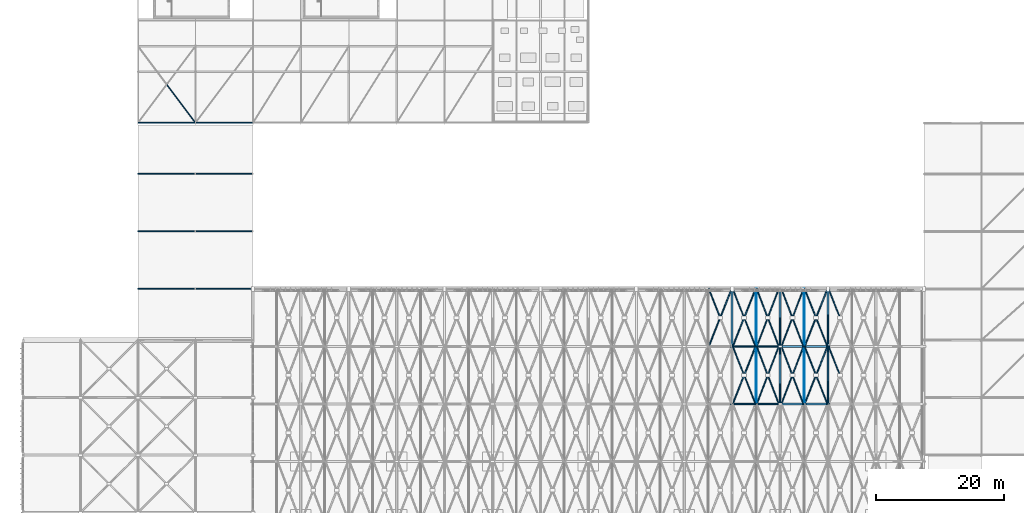
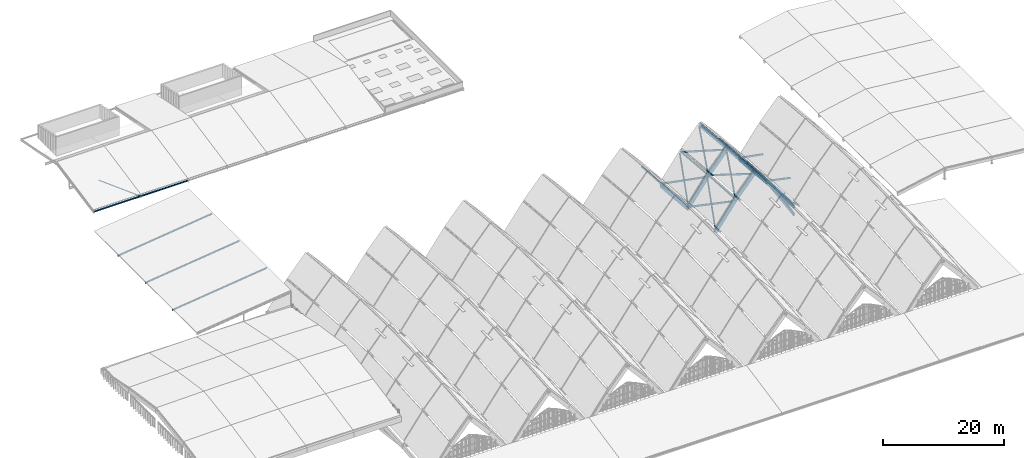
# One storey, part 41 of 93: 35 members, 21 beams.
"""IFC4 building model written with IfcOpenShell, lengths in metres."""

import ifcopenshell
import ifcopenshell.guid

model = None  # the IFC model being written
_history = None  # IfcOwnerHistory: only IFC2X3 demands one
_inside = {}  # id of a spatial element -> (the spatial element, [elements in it])
_under = {}  # id of a project, library or spatial element -> (it, [spatial elements below it])
_declared = {}  # id of a project -> (the project, [libraries it declares])
_typed = {}  # id of a type object -> (the type object, [elements of that type])
_made_of = {}  # id of a material, layer set ... -> (it, [elements and type objects made of it])


def new_model(schema):
    """Start an empty IFC model of exactly this schema.

    Asked for "IFC4X3", IfcOpenShell would pick the latest addendum, in which some entities
    have other attributes; the version numbers below select the first issue.
    IFC2X3 requires an IfcOwnerHistory on every rooted entity: one is made here for all.
    """
    global model, _history
    if schema == "IFC4X3":
        model = ifcopenshell.file(schema_version=(4, 3, 0, 0))
    else:
        model = ifcopenshell.file(schema=schema)
    _inside.clear()
    _under.clear()
    _declared.clear()
    _typed.clear()
    _made_of.clear()
    _history = None
    if model.schema == "IFC2X3":
        org = make("IfcOrganization", Name="unknown")
        user = make(
            "IfcPersonAndOrganization",
            ThePerson=make("IfcPerson", FamilyName="unknown"),
            TheOrganization=org,
        )
        app = make(
            "IfcApplication",
            ApplicationDeveloper=org,
            Version="unknown",
            ApplicationFullName="unknown",
            ApplicationIdentifier="unknown",
        )
        _history = make(
            "IfcOwnerHistory",
            OwningUser=user,
            OwningApplication=app,
            ChangeAction="ADDED",
            CreationDate=0,
        )
    return model


def make(cls, **values):
    """One entity of the class cls with the attributes given. An attribute that is None is left unset."""
    return model.create_entity(
        cls, **{name: value for name, value in values.items() if value is not None}
    )


def rooted(cls, **values):
    """An entity with a GlobalId (a new one), such as an element, a storey or a relation."""
    return make(cls, GlobalId=ifcopenshell.guid.new(), OwnerHistory=_history, **values)


def si_unit(unit_type, name, prefix=None):
    """IfcSIUnit, for example si_unit("LENGTHUNIT", "METRE", prefix="MILLI")."""
    return make("IfcSIUnit", UnitType=unit_type, Prefix=prefix, Name=name)


def assignment(units):
    """IfcUnitAssignment: the units of a project."""
    return None if units is None else make("IfcUnitAssignment", Units=units)


def point(xyz):
    """IfcCartesianPoint."""
    return None if xyz is None else make("IfcCartesianPoint", Coordinates=xyz)


def direction(xyz):
    """IfcDirection."""
    return None if xyz is None else make("IfcDirection", DirectionRatios=xyz)


def frame(location, z_axis=None, x_axis=None):
    """IfcAxis2Placement3D, a coordinate frame: its origin and axes. An axis left out is left unset."""
    return make(
        "IfcAxis2Placement3D",
        Location=point(location),
        Axis=direction(z_axis),
        RefDirection=direction(x_axis),
    )


def frame_2d(location, x_axis=None):
    """IfcAxis2Placement2D, a coordinate frame in the plane: its origin and x axis."""
    return make(
        "IfcAxis2Placement2D", Location=point(location), RefDirection=direction(x_axis)
    )


def origin():
    """The frame at (0, 0, 0) with its axes left unset."""
    return frame((0.0, 0.0, 0.0))


def origin_2d():
    """The frame at (0, 0) in the plane with its x axis left unset."""
    return frame_2d((0.0, 0.0))


def place(relative_to, where):
    """IfcLocalPlacement: puts the frame where relative to a parent placement (None: the world)."""
    return make(
        "IfcLocalPlacement", PlacementRelTo=relative_to, RelativePlacement=where
    )


def context(
    kind, dimensions, precision=None, world=None, true_north=None, identifier=None
):
    """IfcGeometricRepresentationContext, for example the 3D "Model" context."""
    return make(
        "IfcGeometricRepresentationContext",
        ContextIdentifier=identifier,
        ContextType=kind,
        CoordinateSpaceDimension=dimensions,
        Precision=precision,
        WorldCoordinateSystem=world,
        TrueNorth=true_north,
    )


def subcontext(parent, identifier, kind, view, scale=None):
    """IfcGeometricRepresentationSubContext, for example "Body" below "Model"."""
    return make(
        "IfcGeometricRepresentationSubContext",
        ContextIdentifier=identifier,
        ContextType=kind,
        ParentContext=parent,
        TargetScale=scale,
        TargetView=view,
    )


def project(units=None, contexts=None):
    """IfcProject with its units and contexts."""
    return rooted(
        "IfcProject",
        Name="project",
        RepresentationContexts=contexts,
        UnitsInContext=assignment(units),
    )


def spatial(cls, under=None, at=None, **own):
    """A site, building, storey or space (cls), placed at a placement, below another one or the project."""
    s = rooted(cls, ObjectPlacement=at, **own)
    if under is not None:
        _under.setdefault(under.id(), (under, []))[1].append(s)
    return s


def profile(cls, at=None, kind="AREA", **sizes):
    """A parametric profile (cls). Its sizes go by their IFC names, for example OverallWidth=200.0."""
    return make(cls, ProfileType=kind, Position=at, **sizes)


def rectangle(**sizes):
    """IfcRectangleProfileDef."""
    return profile("IfcRectangleProfileDef", **sizes)


def hollow_circle(**sizes):
    """IfcCircleHollowProfileDef."""
    return profile("IfcCircleHollowProfileDef", **sizes)


def i_section(**sizes):
    """IfcIShapeProfileDef."""
    return profile("IfcIShapeProfileDef", **sizes)


def extrude(swept, where, along, depth):
    """IfcExtrudedAreaSolid: the profile swept, set in the frame where, extruded along a direction by depth."""
    return make(
        "IfcExtrudedAreaSolid",
        SweptArea=swept,
        Position=where,
        ExtrudedDirection=direction(along),
        Depth=depth,
    )


def shape(context_of_items, identifier, shape_type, items):
    """IfcShapeRepresentation: the items that make up one representation, for example the "Body"."""
    return make(
        "IfcShapeRepresentation",
        ContextOfItems=context_of_items,
        RepresentationIdentifier=identifier,
        RepresentationType=shape_type,
        Items=items,
    )


def material(Name=None, Category=None):
    """IfcMaterial."""
    return make("IfcMaterial", Name=Name, Category=Category)


def material_profile(
    of_material, cross_section, Name=None, Category=None, Priority=None
):
    """IfcMaterialProfile: a cross section and its material."""
    return make(
        "IfcMaterialProfile",
        Name=Name,
        Material=of_material,
        Profile=cross_section,
        Priority=Priority,
        Category=Category,
    )


def profile_set(profiles, Name=None, composite=None):
    """IfcMaterialProfileSet."""
    return make(
        "IfcMaterialProfileSet",
        Name=Name,
        MaterialProfiles=profiles,
        CompositeProfile=composite,
    )


def made_of(thing, what):
    """Note that an element or type object is made of a material, layer set ...; save() writes the relation."""
    if what is not None:
        _made_of.setdefault(what.id(), (what, []))[1].append(thing)
    return thing


def type_object(cls, material=None, **own):
    """A type object (cls), such as IfcWallType, which elements share."""
    return made_of(rooted(cls, **own), material)


def element(
    cls,
    number,
    at=None,
    inside=None,
    cuts=None,
    type_object=None,
    material=None,
    context=None,
    identifier="Body",
    shape_type=None,
    held_by="IfcProductDefinitionShape",
    body=None,
    shapes=None,
    **own,
):
    """One element of the class cls, such as IfcWall. Its Tag is "e" and its number.

    at: its placement. inside: the storey or other place that contains it. cuts: it is an
    opening in that element (IfcRelVoidsElement). A single representation is given by context,
    identifier, shape_type and body (its items); several are given by shapes. held_by: the class
    of the entity that holds the representations. save() writes the other relations.
    """
    e = rooted(cls, Tag="e%d" % number, ObjectPlacement=at, **own)
    if body is not None:
        shapes = [shape(context, identifier, shape_type, body)]
    if shapes is not None:
        e.Representation = make(held_by, Representations=shapes)
    if inside is not None:
        _inside.setdefault(inside.id(), (inside, []))[1].append(e)
    if cuts is not None:
        rooted(
            "IfcRelVoidsElement", RelatingBuildingElement=cuts, RelatedOpeningElement=e
        )
    if type_object is not None:
        _typed.setdefault(type_object.id(), (type_object, []))[1].append(e)
    return made_of(e, material)


def aggregate(whole, parts):
    """IfcRelAggregates: a whole, such as a stair, and the parts it consists of."""
    return rooted("IfcRelAggregates", RelatingObject=whole, RelatedObjects=parts)


def save(model, path):
    """Write the relations noted so far, then the file.

    IfcRelAggregates (storeys below a building ...), IfcRelContainedInSpatialStructure (elements
    in a storey), IfcRelDefinesByType, IfcRelAssociatesMaterial and IfcRelDeclares: one each for
    every whole, place, type object, material and project.
    """
    for whole, parts in _under.values():
        aggregate(whole, parts)
    for where, things in _inside.values():
        rooted(
            "IfcRelContainedInSpatialStructure",
            RelatedElements=things,
            RelatingStructure=where,
        )
    for kind, things in _typed.values():
        rooted("IfcRelDefinesByType", RelatedObjects=things, RelatingType=kind)
    for what, things in _made_of.values():
        rooted("IfcRelAssociatesMaterial", RelatedObjects=things, RelatingMaterial=what)
    for by, libraries in _declared.values():
        rooted("IfcRelDeclares", RelatingContext=by, RelatedDefinitions=libraries)
    model.write(path)


model = new_model("IFC4")

# Units and contexts
model_context = context("Model", 3, precision=1e-05, world=origin(), true_north=direction((0.0, 1.0)))
body_context = subcontext(model_context, "Body", "Model", "MODEL_VIEW")
ifc_project = project(units=[si_unit("LENGTHUNIT", "METRE"), si_unit("AREAUNIT", "SQUARE_METRE"), si_unit("VOLUMEUNIT", "CUBIC_METRE"), si_unit("PLANEANGLEUNIT", "RADIAN"), si_unit("MASSUNIT", "GRAM", prefix="KILO")], contexts=[model_context])

# Site, building, storey
site_placement = place(None, origin())
site = spatial("IfcSite", under=ifc_project, at=site_placement, CompositionType="ELEMENT")
building_placement = place(site_placement, origin())
building = spatial("IfcBuilding", under=site, at=building_placement, Name="Vourika Railside Aquatics Centre", CompositionType="ELEMENT")
storey_placement = place(building_placement, frame((0.0, 0.0, 21.89990234375)))
storey = spatial("IfcBuildingStorey", under=building, at=storey_placement, Name="Roof", CompositionType="ELEMENT", Elevation=21.89990234375)

# Beams
ifc_material_1 = material(Name="Glulam GL32h", Category="wood")
ifc_material_profile_1 = material_profile(ifc_material_1, rectangle(XDim=0.239990234375, YDim=0.719970703125, at=origin_2d()), Name="GL32h 240x720")
ifc_profile_set_1 = profile_set([ifc_material_profile_1], Name="Glulam GL32h")
beam_type_1 = type_object("IfcBeamType", Name="BM-GL-ARCH-240x720", PredefinedType="BEAM", material=ifc_profile_set_1)
beam_1_placement = place(storey_placement, frame((111.0, 48.0, -10.314208984375), z_axis=(0.592401494544, 0.0, 0.805642891896), x_axis=(0.0, 1.0, 0.0)))
element("IfcBeam", 1, at=beam_1_placement, inside=storey, type_object=beam_type_1, Name="Pointed Glulam Vault Arch Rib GAR-0187", PredefinedType="BEAM", context=body_context, shape_type="SweptSolid", body=[
    extrude(rectangle(XDim=0.239990234375, YDim=0.719970703125, at=origin_2d()), origin(), (0.0, 0.0, 1.0), 6.330078125),
])
for number, where, z_axis, x_axis, name in (
    (2, (114.75, 48.0, -5.21435546875), (0.657258623263, 0.0, 0.75366511273), (0.0, 1.0, 0.0), "Pointed Glulam Vault Arch Rib GAR-0188"),
    (3, (118.5, 48.0, -0.914306640625), (0.657258623263, 0.0, -0.75366511273), (0.0, 1.0, 0.0), "Pointed Glulam Vault Arch Rib GAR-0189"),
):
    element("IfcBeam", number, at=place(storey_placement, frame(where, z_axis=z_axis, x_axis=x_axis)), inside=storey, type_object=beam_type_1, Name=name, PredefinedType="BEAM", context=body_context, shape_type="SweptSolid", body=[
        extrude(rectangle(XDim=0.239990234375, YDim=0.719970703125, at=origin_2d()), origin(), (0.0, 0.0, 1.0), 5.70556640625),
    ])
beam_2_placement = place(storey_placement, frame((122.25, 48.0, -5.21435546875), z_axis=(0.592401494544, 0.0, -0.805642891896), x_axis=(0.0, 1.0, 0.0)))
element("IfcBeam", 4, at=beam_2_placement, inside=storey, type_object=beam_type_1, Name="Pointed Glulam Vault Arch Rib GAR-0190", PredefinedType="BEAM", context=body_context, shape_type="SweptSolid", body=[
    extrude(rectangle(XDim=0.239990234375, YDim=0.719970703125, at=origin_2d()), origin(), (0.0, 0.0, 1.0), 6.330078125),
])
beam_3_placement = place(storey_placement, frame((111.0, 57.0, -10.89990234375), z_axis=(0.592383087934, 0.0, 0.805656426233), x_axis=(0.0, 1.0, 0.0)))
element("IfcBeam", 5, at=beam_3_placement, inside=storey, type_object=beam_type_1, Name="Pointed Glulam Vault Arch Rib GAR-0191", PredefinedType="BEAM", context=body_context, shape_type="SweptSolid", body=[
    extrude(rectangle(XDim=0.239990234375, YDim=0.719970703125, at=origin_2d()), origin(), (0.0, 0.0, 1.0), 6.330322265625),
])
for number, where, z_axis, x_axis, name in (
    (6, (114.75, 57.0, -5.7998046875), (0.657279819973, 0.0, 0.753646626912), (0.0, 1.0, 0.0), "Pointed Glulam Vault Arch Rib GAR-0192"),
    (7, (118.5, 57.0, -1.5), (0.657279819973, 0.0, -0.753646626912), (0.0, 1.0, 0.0), "Pointed Glulam Vault Arch Rib GAR-0193"),
):
    element("IfcBeam", number, at=place(storey_placement, frame(where, z_axis=z_axis, x_axis=x_axis)), inside=storey, type_object=beam_type_1, Name=name, PredefinedType="BEAM", context=body_context, shape_type="SweptSolid", body=[
        extrude(rectangle(XDim=0.239990234375, YDim=0.719970703125, at=origin_2d()), origin(), (0.0, 0.0, 1.0), 5.705322265625),
    ])
beam_4_placement = place(storey_placement, frame((122.25, 57.0, -5.7998046875), z_axis=(0.592383087934, 0.0, -0.805656426233), x_axis=(0.0, 1.0, 0.0)))
element("IfcBeam", 8, at=beam_4_placement, inside=storey, type_object=beam_type_1, Name="Pointed Glulam Vault Arch Rib GAR-0194", PredefinedType="BEAM", context=body_context, shape_type="SweptSolid", body=[
    extrude(rectangle(XDim=0.239990234375, YDim=0.719970703125, at=origin_2d()), origin(), (0.0, 0.0, 1.0), 6.330322265625),
])
ifc_material_profile_2 = material_profile(ifc_material_1, rectangle(XDim=0.280029296875, YDim=0.800048828125, at=origin_2d()), Name="GL32h 280x800")
ifc_profile_set_2 = profile_set([ifc_material_profile_2], Name="Glulam GL32h")
beam_type_2 = type_object("IfcBeamType", Name="BM-GL-RIDGE-280x800", PredefinedType="BEAM", material=ifc_profile_set_2)
beam_5_placement = place(storey_placement, frame((118.5, 48.0, -0.914306640625), z_axis=(0.0, 0.997889191565, -0.064939674766), x_axis=(-1.0, 0.0, 0.0)))
element("IfcBeam", 9, at=beam_5_placement, inside=storey, type_object=beam_type_2, Name="Vault Pointed Ridge Beam GRB-0203", PredefinedType="BEAM", context=body_context, shape_type="SweptSolid", body=[
    extrude(rectangle(XDim=0.280029296875, YDim=0.800048828125, at=origin_2d()), origin(), (0.0, 0.0, 1.0), 9.01904296875),
])
beam_6_placement = place(storey_placement, frame((118.5, 57.0, -1.5), z_axis=(0.0, 0.996074546839, -0.088518343518), x_axis=(-1.0, 0.0, 0.0)))
element("IfcBeam", 10, at=beam_6_placement, inside=storey, type_object=beam_type_2, Name="Vault Pointed Ridge Beam GRB-0204", PredefinedType="BEAM", context=body_context, shape_type="SweptSolid", body=[
    extrude(rectangle(XDim=0.280029296875, YDim=0.800048828125, at=origin_2d()), origin(), (0.0, 0.0, 1.0), 9.035400390625),
])
ifc_material_profile_3 = material_profile(ifc_material_1, rectangle(XDim=0.300048828125, YDim=0.89990234375, at=origin_2d()), Name="GL32h 300x900")
ifc_profile_set_3 = profile_set([ifc_material_profile_3], Name="Glulam GL32h")
beam_type_3 = type_object("IfcBeamType", Name="BM-GL-VAL-300x900", PredefinedType="BEAM", material=ifc_profile_set_3)
beam_7_placement = place(storey_placement, frame((126.0, 48.0, -10.314208984375), z_axis=(0.0, 0.997889191565, -0.064939674766), x_axis=(-1.0, 0.0, 0.0)))
element("IfcBeam", 11, at=beam_7_placement, inside=storey, type_object=beam_type_3, Name="Vault Valley Arch Rib VTR-041", PredefinedType="BEAM", context=body_context, shape_type="SweptSolid", body=[
    extrude(rectangle(XDim=0.300048828125, YDim=0.89990234375, at=origin_2d()), origin(), (0.0, 0.0, 1.0), 9.01904296875),
])
beam_8_placement = place(storey_placement, frame((126.0, 57.0, -10.89990234375), z_axis=(0.0, 0.996072164085, -0.088545151956), x_axis=(-1.0, 0.0, 0.0)))
element("IfcBeam", 12, at=beam_8_placement, inside=storey, type_object=beam_type_3, Name="Vault Valley Arch Rib VTR-042", PredefinedType="BEAM", context=body_context, shape_type="SweptSolid", body=[
    extrude(rectangle(XDim=0.300048828125, YDim=0.89990234375, at=origin_2d()), origin(), (0.0, 0.0, 1.0), 9.035400390625),
])
ifc_material_profile_4 = material_profile(ifc_material_1, rectangle(XDim=0.320068359375, YDim=0.9599609375, at=origin_2d()), Name="GL32h 320x960")
ifc_profile_set_4 = profile_set([ifc_material_profile_4], Name="Glulam GL32h")
beam_type_4 = type_object("IfcBeamType", Name="BM-GL-VAL-320x960", PredefinedType="BEAM", material=ifc_profile_set_4)
beam_9_placement = place(storey_placement, frame((111.0, 57.0, -10.89990234375), z_axis=(0.0, 0.996072164085, -0.088545151956), x_axis=(-1.0, 0.0, 0.0)))
element("IfcBeam", 13, at=beam_9_placement, inside=storey, type_object=beam_type_4, Name="Vault Valley Arch Rib VTR-036", PredefinedType="BEAM", context=body_context, shape_type="SweptSolid", body=[
    extrude(rectangle(XDim=0.320068359375, YDim=0.9599609375, at=origin_2d()), origin(), (0.0, 0.0, 1.0), 9.035400390625),
])
ifc_material_2 = material(Name="Steel S355J2", Category="steel")
ifc_material_profile_5 = material_profile(ifc_material_2, i_section(OverallWidth=0.135009765625, OverallDepth=0.27001953125, WebThickness=0.006591796875, FlangeThickness=0.01025390625, at=origin_2d()), Name="IPE 270")
ifc_profile_set_5 = profile_set([ifc_material_profile_5], Name="Steel S355J2")
beam_type_5 = type_object("IfcBeamType", Name="BM-STL-IPE270", PredefinedType="SPANDREL", material=ifc_profile_set_5)
for number, where, z_axis, x_axis, name in (
    (14, (18.0, 92.0, -0.375), (1.0, 0.0, 0.0), (0.0, 1.0, 0.0), "Floor Beam GX-Roof-001"),
    (15, (27.0, 92.0, -0.375), (1.0, 0.0, 0.0), (0.0, 1.0, 0.0), "Floor Beam GX-Roof-002"),
):
    element("IfcBeam", number, at=place(storey_placement, frame(where, z_axis=z_axis, x_axis=x_axis)), inside=storey, type_object=beam_type_5, Name=name, PredefinedType="SPANDREL", context=body_context, shape_type="SweptSolid", body=[
        extrude(i_section(OverallWidth=0.135009765625, OverallDepth=0.27001953125, WebThickness=0.006591796875, FlangeThickness=0.01025390625, at=origin_2d()), origin(), (0.0, 0.0, 1.0), 9.0),
    ])
ifc_material_profile_6 = material_profile(ifc_material_2, i_section(OverallWidth=0.14990234375, OverallDepth=0.300048828125, WebThickness=0.007080078125, FlangeThickness=0.0107421875, at=origin_2d()), Name="IPE 300")
ifc_profile_set_6 = profile_set([ifc_material_profile_6], Name="Steel S355J2")
beam_type_6 = type_object("IfcBeamType", Name="BM-STL-IPE300", PredefinedType="SPANDREL", material=ifc_profile_set_6)
for number, where, z_axis, x_axis, name in (
    (16, (18.0, 66.0, -4.3798828125), (0.992612220818, 0.0, 0.121330041965), (0.0, 1.0, 0.0), "West Link Roof Rafter WLR-18-66"),
    (17, (18.0, 75.0, -4.3798828125), (0.992612220818, 0.0, 0.121330041965), (0.0, 1.0, 0.0), "West Link Roof Rafter WLR-18-75"),
    (18, (18.0, 84.0, -4.3798828125), (0.992612220818, 0.0, 0.121330041965), (0.0, 1.0, 0.0), "West Link Roof Rafter WLR-18-84"),
    (19, (27.0, 66.0, -3.27978515625), (0.992615463311, 0.0, 0.121303511887), (0.0, 1.0, 0.0), "West Link Roof Rafter WLR-27-66"),
    (20, (27.0, 75.0, -3.27978515625), (0.992615463311, 0.0, 0.121303511887), (0.0, 1.0, 0.0), "West Link Roof Rafter WLR-27-75"),
    (21, (27.0, 84.0, -3.27978515625), (0.992615463311, 0.0, 0.121303511887), (0.0, 1.0, 0.0), "West Link Roof Rafter WLR-27-84"),
):
    element("IfcBeam", number, at=place(storey_placement, frame(where, z_axis=z_axis, x_axis=x_axis)), inside=storey, type_object=beam_type_6, Name=name, PredefinedType="SPANDREL", context=body_context, shape_type="SweptSolid", body=[
        extrude(i_section(OverallWidth=0.14990234375, OverallDepth=0.300048828125, WebThickness=0.007080078125, FlangeThickness=0.0107421875, at=origin_2d()), origin(), (0.0, 0.0, 1.0), 9.06689453125),
    ])

# Members
ifc_material_profile_7 = material_profile(ifc_material_1, rectangle(XDim=0.219970703125, YDim=0.60009765625, at=origin_2d()), Name="GL32h 220x600")
ifc_profile_set_7 = profile_set([ifc_material_profile_7], Name="Glulam GL32h")
member_type_1 = type_object("IfcMemberType", Name="MEM-GL-CHORD", PredefinedType="CHORD", material=ifc_profile_set_7)
member_1_placement = place(storey_placement, frame((126.0, 48.0, -12.064208984375), z_axis=(0.0, 0.991735627786, 0.128298264131), x_axis=(-1.0, 0.0, 0.0)))
element("IfcMember", 22, at=member_1_placement, inside=storey, type_object=member_type_1, Name="Valley Arch Truss Bottom Chord VBC-041", PredefinedType="CHORD", context=body_context, shape_type="SweptSolid", body=[
    extrude(rectangle(XDim=0.219970703125, YDim=0.60009765625, at=origin_2d()), origin(), (0.0, 0.0, 1.0), 9.074951171875),
])
ifc_material_3 = material(Name="Glulam GL28h", Category="wood")
ifc_material_profile_8 = material_profile(ifc_material_3, rectangle(XDim=0.179931640625, YDim=0.360107421875, at=origin_2d()), Name="GL28h 180x360")
ifc_profile_set_8 = profile_set([ifc_material_profile_8], Name="Glulam GL28h")
member_type_2 = type_object("IfcMemberType", Name="MEM-GL-LATH1", PredefinedType="BRACE", material=ifc_profile_set_8)
member_2_placement = place(storey_placement, frame((107.344970703125, 57.0, -5.936767578125), z_axis=(0.318017835503, 0.80396444164, -0.502499584956), x_axis=(-0.929892910811, 0.367830360933, 0.0)))
element("IfcMember", 23, at=member_2_placement, inside=storey, type_object=member_type_2, Name="Gridshell Continuous Diagonal Lath GLA-0289", PredefinedType="BRACE", context=body_context, shape_type="SweptSolid", body=[
    extrude(rectangle(XDim=0.179931640625, YDim=0.360107421875, at=origin_2d()), origin(), (0.0, 0.0, 1.0), 11.194580078125),
])
member_3_placement = place(storey_placement, frame((111.094970703125, 48.0, -10.189453125), z_axis=(0.336558619113, 0.85083643773, 0.403491824121), x_axis=(-0.929892910811, 0.367830360933, 0.0)))
element("IfcMember", 24, at=member_3_placement, inside=storey, type_object=member_type_2, Name="Gridshell Continuous Diagonal Lath GLA-0333", PredefinedType="BRACE", context=body_context, shape_type="SweptSolid", body=[
    extrude(rectangle(XDim=0.179931640625, YDim=0.360107421875, at=origin_2d()), origin(), (0.0, 0.0, 1.0), 10.577880859375),
])
member_4_placement = place(storey_placement, frame((122.344970703125, 48.0, -5.347900390625), z_axis=(0.321000574365, 0.811504949484, -0.488281013577), x_axis=(-0.929892910811, 0.367830360933, 0.0)))
element("IfcMember", 25, at=member_4_placement, inside=storey, type_object=member_type_2, Name="Gridshell Continuous Diagonal Lath GLA-0339", PredefinedType="BRACE", context=body_context, shape_type="SweptSolid", body=[
    extrude(rectangle(XDim=0.179931640625, YDim=0.360107421875, at=origin_2d()), origin(), (0.0, 0.0, 1.0), 11.090576171875),
])
member_5_placement = place(storey_placement, frame((111.094970703125, 57.0, -10.7783203125), z_axis=(0.339219023139, 0.857562067548, 0.386675257346), x_axis=(-0.929892910811, 0.367830360933, 0.0)))
element("IfcMember", 26, at=member_5_placement, inside=storey, type_object=member_type_2, Name="Gridshell Continuous Diagonal Lath GLA-0343", PredefinedType="BRACE", context=body_context, shape_type="SweptSolid", body=[
    extrude(rectangle(XDim=0.179931640625, YDim=0.360107421875, at=origin_2d()), origin(), (0.0, 0.0, 1.0), 10.494873046875),
])
member_6_placement = place(storey_placement, frame((122.344970703125, 57.0, -5.936767578125), z_axis=(0.318017835503, 0.80396444164, -0.502499584956), x_axis=(-0.929892910811, 0.367830360933, 0.0)))
element("IfcMember", 27, at=member_6_placement, inside=storey, type_object=member_type_2, Name="Gridshell Continuous Diagonal Lath GLA-0349", PredefinedType="BRACE", context=body_context, shape_type="SweptSolid", body=[
    extrude(rectangle(XDim=0.179931640625, YDim=0.360107421875, at=origin_2d()), origin(), (0.0, 0.0, 1.0), 11.194580078125),
])
ifc_material_profile_9 = material_profile(ifc_material_3, rectangle(XDim=0.159912109375, YDim=0.320068359375, at=origin_2d()), Name="GL28h 160x320")
ifc_profile_set_9 = profile_set([ifc_material_profile_9], Name="Glulam GL28h")
member_type_3 = type_object("IfcMemberType", Name="MEM-GL-LATH2", PredefinedType="BRACE", material=ifc_profile_set_9)
member_7_placement = place(storey_placement, frame((109.125, 61.5, -8.74951171875), z_axis=(-0.339212920269, 0.857546639199, 0.386714825576), x_axis=(-0.929892910811, -0.367830360933, 0.0)))
element("IfcMember", 28, at=member_7_placement, inside=storey, type_object=member_type_3, Name="Gridshell Split Counter Lath GLB2-0290", PredefinedType="BRACE", context=body_context, shape_type="SweptSolid", body=[
    extrude(rectangle(XDim=0.159912109375, YDim=0.320068359375, at=origin_2d()), origin(), (0.0, 0.0, 1.0), 5.24755859375),
])
member_8_placement = place(storey_placement, frame((114.655029296875, 48.0, -5.347900390625), z_axis=(-0.321004024702, 0.811513672104, -0.488264248244), x_axis=(-0.929892910811, -0.367830360933, 0.0)))
element("IfcMember", 29, at=member_8_placement, inside=storey, type_object=member_type_3, Name="Gridshell Split Counter Lath GLB1-0334", PredefinedType="BRACE", context=body_context, shape_type="SweptSolid", body=[
    extrude(rectangle(XDim=0.159912109375, YDim=0.320068359375, at=origin_2d()), origin(), (0.0, 0.0, 1.0), 5.545166015625),
])
member_9_placement = place(storey_placement, frame((112.875, 52.5, -8.055419921875), z_axis=(-0.320997123983, 0.811496226753, -0.48829777837), x_axis=(-0.929892910811, -0.367830360933, 0.0)))
element("IfcMember", 30, at=member_9_placement, inside=storey, type_object=member_type_3, Name="Gridshell Split Counter Lath GLB2-0334", PredefinedType="BRACE", context=body_context, shape_type="SweptSolid", body=[
    extrude(rectangle(XDim=0.159912109375, YDim=0.320068359375, at=origin_2d()), origin(), (0.0, 0.0, 1.0), 5.54541015625),
])
member_10_placement = place(storey_placement, frame((114.844970703125, 48.0, -5.10986328125), z_axis=(0.338120523205, 0.8807571345, 0.331574097021), x_axis=(-0.933569951957, 0.358395235463, 0.0)))
element("IfcMember", 31, at=member_10_placement, inside=storey, type_object=member_type_3, Name="Gridshell Continuous Diagonal Lath GLA-0335", PredefinedType="BRACE", context=body_context, shape_type="SweptSolid", body=[
    extrude(rectangle(XDim=0.159912109375, YDim=0.320068359375, at=origin_2d()), origin(), (0.0, 0.0, 1.0), 10.218505859375),
])
member_11_placement = place(storey_placement, frame((118.300048828125, 48.0, -1.14794921875), z_axis=(-0.324295935921, 0.844745999277, -0.425718619102), x_axis=(-0.933569951957, -0.358395235463, 0.0)))
element("IfcMember", 32, at=member_11_placement, inside=storey, type_object=member_type_3, Name="Gridshell Split Counter Lath GLB1-0336", PredefinedType="BRACE", context=body_context, shape_type="SweptSolid", body=[
    extrude(rectangle(XDim=0.159912109375, YDim=0.320068359375, at=origin_2d()), origin(), (0.0, 0.0, 1.0), 5.3271484375),
])
member_12_placement = place(storey_placement, frame((116.572509765625, 52.5, -3.415771484375), z_axis=(-0.324302263056, 0.84476248059, -0.425681093735), x_axis=(-0.933569951957, -0.358395235463, 0.0)))
element("IfcMember", 33, at=member_12_placement, inside=storey, type_object=member_type_3, Name="Gridshell Split Counter Lath GLB2-0336", PredefinedType="BRACE", context=body_context, shape_type="SweptSolid", body=[
    extrude(rectangle(XDim=0.159912109375, YDim=0.320068359375, at=origin_2d()), origin(), (0.0, 0.0, 1.0), 5.326904296875),
])
member_13_placement = place(storey_placement, frame((118.699951171875, 48.0, -1.14794921875), z_axis=(0.324299099527, 0.844754240035, -0.425699856693), x_axis=(-0.933569951957, 0.358395235463, 0.0)))
element("IfcMember", 34, at=member_13_placement, inside=storey, type_object=member_type_3, Name="Gridshell Continuous Diagonal Lath GLA-0337", PredefinedType="BRACE", context=body_context, shape_type="SweptSolid", body=[
    extrude(rectangle(XDim=0.159912109375, YDim=0.320068359375, at=origin_2d()), origin(), (0.0, 0.0, 1.0), 10.654052734375),
])
for number, where, z_axis, x_axis, name in (
    (35, (122.155029296875, 48.0, -5.10986328125), (-0.338120523205, 0.8807571345, 0.331574097021), (-0.933569951957, -0.358395235463, 0.0), "Gridshell Split Counter Lath GLB1-0338"),
    (36, (120.427490234375, 52.5, -3.415771484375), (-0.338120523205, 0.8807571345, 0.331574097021), (-0.933569951957, -0.358395235463, 0.0), "Gridshell Split Counter Lath GLB2-0338"),
):
    element("IfcMember", number, at=place(storey_placement, frame(where, z_axis=z_axis, x_axis=x_axis)), inside=storey, type_object=member_type_3, Name=name, PredefinedType="BRACE", context=body_context, shape_type="SweptSolid", body=[
        extrude(rectangle(XDim=0.159912109375, YDim=0.320068359375, at=origin_2d()), origin(), (0.0, 0.0, 1.0), 5.109130859375),
    ])
for number, where, z_axis, x_axis, name in (
    (37, (125.905029296875, 48.0, -10.189453125), (-0.336558619113, 0.85083643773, 0.403491824121), (-0.929892910811, -0.367830360933, 0.0), "Gridshell Split Counter Lath GLB1-0340"),
    (38, (124.125, 52.5, -8.055419921875), (-0.336558619113, 0.85083643773, 0.403491824121), (-0.929892910811, -0.367830360933, 0.0), "Gridshell Split Counter Lath GLB2-0340"),
):
    element("IfcMember", number, at=place(storey_placement, frame(where, z_axis=z_axis, x_axis=x_axis)), inside=storey, type_object=member_type_3, Name=name, PredefinedType="BRACE", context=body_context, shape_type="SweptSolid", body=[
        extrude(rectangle(XDim=0.159912109375, YDim=0.320068359375, at=origin_2d()), origin(), (0.0, 0.0, 1.0), 5.288818359375),
    ])
member_14_placement = place(storey_placement, frame((114.655029296875, 57.0, -5.936767578125), z_axis=(-0.318014350334, 0.803955630964, -0.502515886737), x_axis=(-0.929892910811, -0.367830360933, 0.0)))
element("IfcMember", 39, at=member_14_placement, inside=storey, type_object=member_type_3, Name="Gridshell Split Counter Lath GLB1-0344", PredefinedType="BRACE", context=body_context, shape_type="SweptSolid", body=[
    extrude(rectangle(XDim=0.159912109375, YDim=0.320068359375, at=origin_2d()), origin(), (0.0, 0.0, 1.0), 5.597412109375),
])
member_15_placement = place(storey_placement, frame((112.875, 61.5, -8.74951171875), z_axis=(-0.318021320636, 0.803973252223, -0.502483282639), x_axis=(-0.929892910811, -0.367830360933, 0.0)))
element("IfcMember", 40, at=member_15_placement, inside=storey, type_object=member_type_3, Name="Gridshell Split Counter Lath GLB2-0344", PredefinedType="BRACE", context=body_context, shape_type="SweptSolid", body=[
    extrude(rectangle(XDim=0.159912109375, YDim=0.320068359375, at=origin_2d()), origin(), (0.0, 0.0, 1.0), 5.59716796875),
])
member_16_placement = place(storey_placement, frame((114.844970703125, 57.0, -5.698486328125), z_axis=(0.340377647674, 0.886636631138, 0.313079129436), x_axis=(-0.933569951957, 0.358395235463, 0.0)))
element("IfcMember", 41, at=member_16_placement, inside=storey, type_object=member_type_3, Name="Gridshell Continuous Diagonal Lath GLA-0345", PredefinedType="BRACE", context=body_context, shape_type="SweptSolid", body=[
    extrude(rectangle(XDim=0.159912109375, YDim=0.320068359375, at=origin_2d()), origin(), (0.0, 0.0, 1.0), 10.150634765625),
])
for number, where, z_axis, x_axis, name in (
    (42, (118.300048828125, 57.0, -1.73681640625), (-0.32154756466, 0.837586872782, -0.441650760448), (-0.933569951957, -0.358395235463, 0.0), "Gridshell Split Counter Lath GLB1-0346"),
    (43, (116.572509765625, 61.5, -4.109619140625), (-0.321554017818, 0.837603682367, -0.441614181057), (-0.933569951957, -0.358395235463, 0.0), "Gridshell Split Counter Lath GLB2-0346"),
):
    element("IfcMember", number, at=place(storey_placement, frame(where, z_axis=z_axis, x_axis=x_axis)), inside=storey, type_object=member_type_3, Name=name, PredefinedType="BRACE", context=body_context, shape_type="SweptSolid", body=[
        extrude(rectangle(XDim=0.159912109375, YDim=0.320068359375, at=origin_2d()), origin(), (0.0, 0.0, 1.0), 5.37255859375),
    ])
member_17_placement = place(storey_placement, frame((118.699951171875, 57.0, -1.73681640625), z_axis=(0.321550791273, 0.837595277664, -0.441632471028), x_axis=(-0.933569951957, 0.358395235463, 0.0)))
element("IfcMember", 44, at=member_17_placement, inside=storey, type_object=member_type_3, Name="Gridshell Continuous Diagonal Lath GLA-0347", PredefinedType="BRACE", context=body_context, shape_type="SweptSolid", body=[
    extrude(rectangle(XDim=0.159912109375, YDim=0.320068359375, at=origin_2d()), origin(), (0.0, 0.0, 1.0), 10.7451171875),
])
for number, where, z_axis, x_axis, name in (
    (45, (122.155029296875, 57.0, -5.698486328125), (-0.340380210662, 0.886643307367, 0.313057435131), (-0.933569951957, -0.358395235463, 0.0), "Gridshell Split Counter Lath GLB1-0348"),
    (46, (120.427490234375, 61.5, -4.109619140625), (-0.340375084547, 0.886629954547, 0.31310082325), (-0.933569951957, -0.358395235463, 0.0), "Gridshell Split Counter Lath GLB2-0348"),
):
    element("IfcMember", number, at=place(storey_placement, frame(where, z_axis=z_axis, x_axis=x_axis)), inside=storey, type_object=member_type_3, Name=name, PredefinedType="BRACE", context=body_context, shape_type="SweptSolid", body=[
        extrude(rectangle(XDim=0.159912109375, YDim=0.320068359375, at=origin_2d()), origin(), (0.0, 0.0, 1.0), 5.075439453125),
    ])
member_18_placement = place(storey_placement, frame((125.905029296875, 57.0, -10.7783203125), z_axis=(-0.339225125603, 0.857577494874, 0.386635686979), x_axis=(-0.929892910811, -0.367830360933, 0.0)))
element("IfcMember", 47, at=member_18_placement, inside=storey, type_object=member_type_3, Name="Gridshell Split Counter Lath GLB1-0350", PredefinedType="BRACE", context=body_context, shape_type="SweptSolid", body=[
    extrude(rectangle(XDim=0.159912109375, YDim=0.320068359375, at=origin_2d()), origin(), (0.0, 0.0, 1.0), 5.247314453125),
])
member_19_placement = place(storey_placement, frame((124.125, 61.5, -8.74951171875), z_axis=(-0.339212920269, 0.857546639199, 0.386714825576), x_axis=(-0.929892910811, -0.367830360933, 0.0)))
element("IfcMember", 48, at=member_19_placement, inside=storey, type_object=member_type_3, Name="Gridshell Split Counter Lath GLB2-0350", PredefinedType="BRACE", context=body_context, shape_type="SweptSolid", body=[
    extrude(rectangle(XDim=0.159912109375, YDim=0.320068359375, at=origin_2d()), origin(), (0.0, 0.0, 1.0), 5.24755859375),
])
member_20_placement = place(storey_placement, frame((127.875, 52.5, -8.055419921875), z_axis=(-0.320997123983, 0.811496226753, -0.48829777837), x_axis=(-0.929892910811, -0.367830360933, 0.0)))
element("IfcMember", 49, at=member_20_placement, inside=storey, type_object=member_type_3, Name="Gridshell Split Counter Lath GLB2-0399", PredefinedType="BRACE", context=body_context, shape_type="SweptSolid", body=[
    extrude(rectangle(XDim=0.159912109375, YDim=0.320068359375, at=origin_2d()), origin(), (0.0, 0.0, 1.0), 5.54541015625),
])
member_21_placement = place(storey_placement, frame((127.875, 61.5, -8.74951171875), z_axis=(-0.318021320636, 0.803973252223, -0.502483282639), x_axis=(-0.929892910811, -0.367830360933, 0.0)))
element("IfcMember", 50, at=member_21_placement, inside=storey, type_object=member_type_3, Name="Gridshell Split Counter Lath GLB2-0408", PredefinedType="BRACE", context=body_context, shape_type="SweptSolid", body=[
    extrude(rectangle(XDim=0.159912109375, YDim=0.320068359375, at=origin_2d()), origin(), (0.0, 0.0, 1.0), 5.59716796875),
])
ifc_material_profile_10 = material_profile(ifc_material_3, rectangle(XDim=0.139892578125, YDim=0.280029296875, at=origin_2d()), Name="GL28h 140x280")
ifc_profile_set_10 = profile_set([ifc_material_profile_10], Name="Glulam GL28h")
member_type_4 = type_object("IfcMemberType", Name="MEM-GL-PURLIN", PredefinedType="PURLIN", material=ifc_profile_set_10)
for number, where, z_axis, x_axis, name in (
    (51, (114.75, 48.0, -4.9443359375), (0.0, 0.997890945376, -0.064912719374), (-1.0, 0.0, 0.0), "Vault Timber Purlin GTP-0331"),
    (52, (122.25, 48.0, -4.9443359375), (0.0, 0.997890945376, -0.064912719374), (-1.0, 0.0, 0.0), "Vault Timber Purlin GTP-0332"),
):
    element("IfcMember", number, at=place(storey_placement, frame(where, z_axis=z_axis, x_axis=x_axis)), inside=storey, type_object=member_type_4, Name=name, PredefinedType="PURLIN", context=body_context, shape_type="SweptSolid", body=[
        extrude(rectangle(XDim=0.139892578125, YDim=0.280029296875, at=origin_2d()), origin(), (0.0, 0.0, 1.0), 9.01904296875),
    ])
for number, where, z_axis, x_axis, name in (
    (53, (114.75, 57.0, -5.52978515625), (0.0, 0.996072164085, -0.088545151956), (-1.0, 0.0, 0.0), "Vault Timber Purlin GTP-0341"),
    (54, (122.25, 57.0, -5.52978515625), (0.0, 0.996072164085, -0.088545151956), (-1.0, 0.0, 0.0), "Vault Timber Purlin GTP-0342"),
):
    element("IfcMember", number, at=place(storey_placement, frame(where, z_axis=z_axis, x_axis=x_axis)), inside=storey, type_object=member_type_4, Name=name, PredefinedType="PURLIN", context=body_context, shape_type="SweptSolid", body=[
        extrude(rectangle(XDim=0.139892578125, YDim=0.280029296875, at=origin_2d()), origin(), (0.0, 0.0, 1.0), 9.035400390625),
    ])
ifc_material_profile_11 = material_profile(ifc_material_3, rectangle(XDim=0.199951171875, YDim=0.39990234375, at=origin_2d()), Name="GL28h 200x400")
ifc_profile_set_11 = profile_set([ifc_material_profile_11], Name="Glulam GL28h")
member_type_5 = type_object("IfcMemberType", Name="MEM-GL-STRUT1", PredefinedType="STRUT", material=ifc_profile_set_11)
member_22_placement = place(storey_placement, frame((126.0, 48.0, -12.064208984375), z_axis=(0.0, 0.95137335537, 0.308040157598), x_axis=(-1.0, 0.0, 0.0)))
element("IfcMember", 55, at=member_22_placement, inside=storey, type_object=member_type_5, Name="Valley Truss Web Strut VWA-041", PredefinedType="STRUT", context=body_context, shape_type="SweptSolid", body=[
    extrude(rectangle(XDim=0.199951171875, YDim=0.39990234375, at=origin_2d()), origin(), (0.0, 0.0, 1.0), 4.72998046875),
])
ifc_material_profile_12 = material_profile(ifc_material_2, hollow_circle(Radius=0.096923828125, WallThickness=0.010009765625, at=origin_2d()), Name="CHS 193.7x10")
ifc_profile_set_12 = profile_set([ifc_material_profile_12], Name="Steel S355J2")
member_type_6 = type_object("IfcMemberType", Name="MEM-STL-CHS193", PredefinedType="BRACE", material=ifc_profile_set_12)
member_23_placement = place(storey_placement, frame((27.0, 92.0, -0.3798828125), z_axis=(-0.592889409794, 0.790519213059, 0.153497627145), x_axis=(-0.8, -0.6, 0.0)))
element("IfcMember", 56, at=member_23_placement, inside=storey, type_object=member_type_6, Name="Fitness Roof Split Counter Wind Brace V5WB1-18.0", PredefinedType="BRACE", context=body_context, shape_type="SweptSolid", body=[
    extrude(hollow_circle(Radius=0.096923828125, WallThickness=0.010009765625, at=origin_2d()), origin(), (0.0, 0.0, 1.0), 7.58984375),
])

save(model, "model.ifc")
